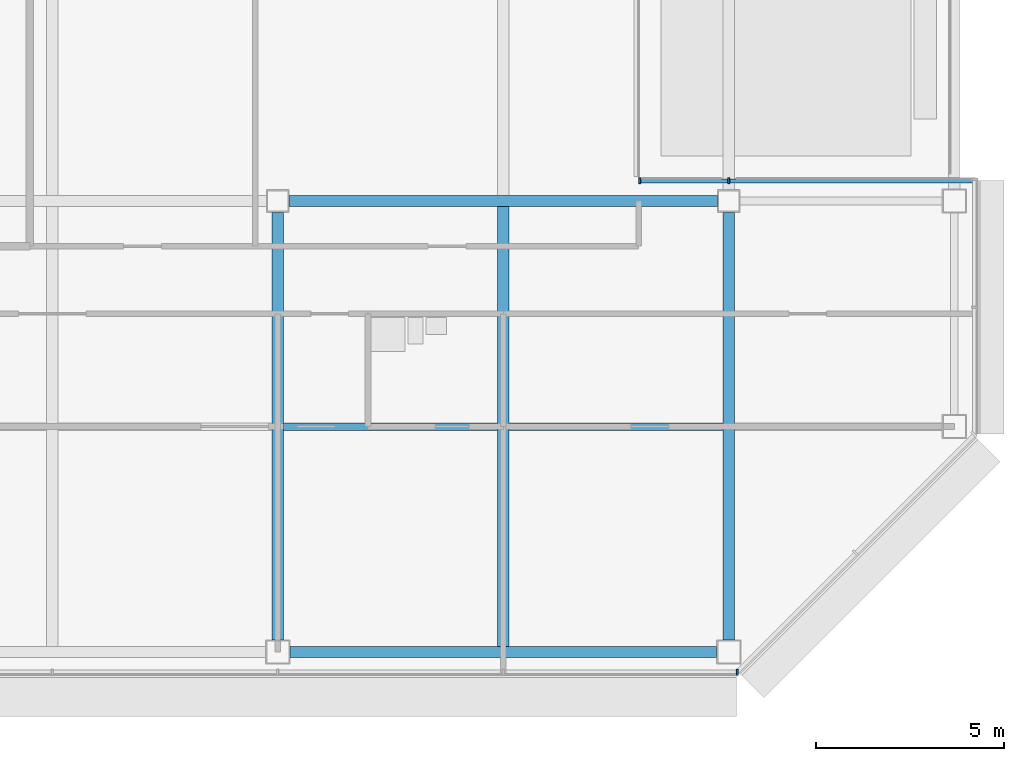
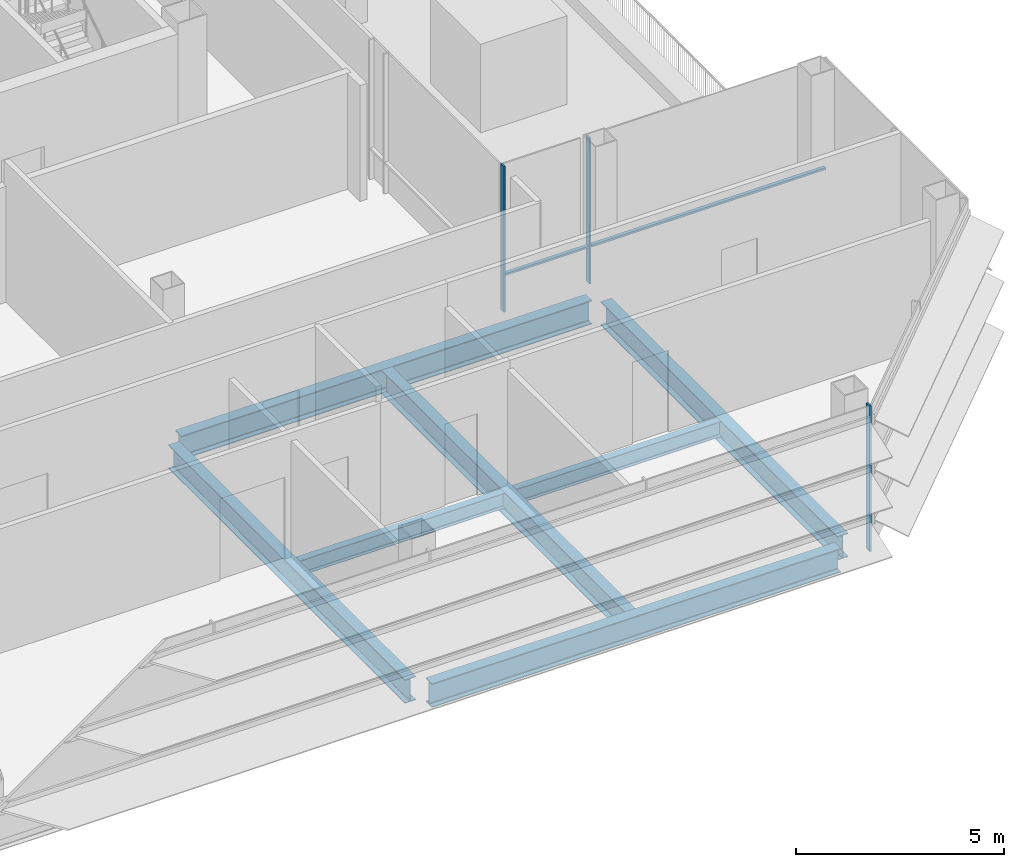
# One storey, part 9 of 30: 7 beams, 4 members, 2 elements without a shape of their own.
"""IFC4 building model written with IfcOpenShell, lengths in metres."""

from ifc_helpers import new_model, si_unit, direction, frame, origin, origin_2d, place, context, subcontext, project, spatial, rectangle, i_section, extrude, material, material_profile, profile_set, type_object, element, aggregate, save


model = new_model("IFC4")

# Units and contexts
model_context = context("Model", 3, precision=1e-05, world=origin(), true_north=direction((0.0, 1.0)))
body_context = subcontext(model_context, "Body", "Model", "MODEL_VIEW")
ifc_project = project(units=[si_unit("LENGTHUNIT", "METRE"), si_unit("AREAUNIT", "SQUARE_METRE"), si_unit("VOLUMEUNIT", "CUBIC_METRE"), si_unit("PLANEANGLEUNIT", "RADIAN"), si_unit("MASSUNIT", "GRAM", prefix="KILO")], contexts=[model_context])

# Site, building, storey
site_placement = place(None, origin())
site = spatial("IfcSite", under=ifc_project, at=site_placement, CompositionType="ELEMENT")
building_placement = place(site_placement, origin())
building = spatial("IfcBuilding", under=site, at=building_placement, Name="Sorahane Residences", CompositionType="ELEMENT")
storey_placement = place(building_placement, frame((0.0, 0.0, 229.800048828125)))
storey = spatial("IfcBuildingStorey", under=building, at=storey_placement, Name="L54", CompositionType="ELEMENT", Elevation=229.800048828125)

# Curtain wall, members
ifc_material_1 = material(Name="Dark low-e glass and black anodised aluminium", Category="aluminium")
curtain_wall_type = type_object("IfcCurtainWallType", Name="Curtain wall CW-1 Typical unitised wall", PredefinedType="NOTDEFINED", material=ifc_material_1)
curtain_wall_1_placement = place(storey_placement, origin())
curtain_wall_1 = element("IfcCurtainWall", 1, at=curtain_wall_1_placement, inside=storey, type_object=curtain_wall_type, Name="CW-1 curtain wall L54 N1", PredefinedType="NOTDEFINED")
ifc_material_2 = material(Name="Black anodised aluminium", Category="aluminium")
ifc_material_profile_1 = material_profile(ifc_material_2, rectangle(XDim=0.159912109375, YDim=0.050048828125, at=origin_2d()), Name="Curtain wall mullion CW-1 black anodised aluminium 50x160")
ifc_profile_set_1 = profile_set([ifc_material_profile_1], Name="Black anodised aluminium")
member_type_1 = type_object("IfcMemberType", Name="Curtain wall mullion CW-1 black anodised aluminium 50x160", PredefinedType="MULLION", material=ifc_profile_set_1)
member_1_placement = place(storey_placement, frame((48.0, 12.5400390625, -0.179931640625), z_axis=(0.0, 0.0, 1.0), x_axis=(0.0, 1.0, 0.0)))
member_1 = element("IfcMember", 2, at=member_1_placement, type_object=member_type_1, Name="CW-1 mullion L54 N1.2", PredefinedType="MULLION", context=body_context, shape_type="SweptSolid", body=[
    extrude(rectangle(XDim=0.159912109375, YDim=0.050048828125, at=origin_2d()), origin(), (0.0, 0.0, 1.0), 4.27978515625),
])
member_2_placement = place(storey_placement, frame((45.625, 12.5400390625, -0.179931640625), z_axis=(0.0, 0.0, 1.0), x_axis=(0.0, 1.0, 0.0)))
member_2 = element("IfcMember", 3, at=member_2_placement, type_object=member_type_1, Name="CW-1 mullion L54 N1.3", PredefinedType="MULLION", context=body_context, shape_type="SweptSolid", body=[
    extrude(rectangle(XDim=0.159912109375, YDim=0.050048828125, at=origin_2d()), origin(), (0.0, 0.0, 1.0), 4.27978515625),
])

# Curtain wall, member
curtain_wall_2_placement = place(storey_placement, origin())
curtain_wall_2 = element("IfcCurtainWall", 4, at=curtain_wall_2_placement, inside=storey, type_object=curtain_wall_type, Name="CW-1 curtain wall L54 S2", PredefinedType="NOTDEFINED")
member_3_placement = place(storey_placement, frame((48.2236328125, -0.5400390625, -0.179931640625), z_axis=(0.0, 0.0, 1.0), x_axis=(0.0, -1.0, 0.0)))
member_3 = element("IfcMember", 5, at=member_3_placement, type_object=member_type_1, Name="CW-1 mullion L54 S2.10", PredefinedType="MULLION", context=body_context, shape_type="SweptSolid", body=[
    extrude(rectangle(XDim=0.159912109375, YDim=0.050048828125, at=origin_2d()), origin(), (0.0, 0.0, 1.0), 4.27978515625),
])
aggregate(curtain_wall_2, [member_3])

# Member
ifc_material_3 = material(Name="Black anodised aluminium", Category="aluminium")
ifc_material_profile_2 = material_profile(ifc_material_3, rectangle(XDim=0.10009765625, YDim=0.06005859375, at=origin_2d()), Name="Curtain wall transom CW-1 black anodised aluminium 60x100")
ifc_profile_set_2 = profile_set([ifc_material_profile_2], Name="Black anodised aluminium")
member_type_2 = type_object("IfcMemberType", Name="Curtain wall transom CW-1 black anodised aluminium 60x100", PredefinedType="USERDEFINED", material=ifc_profile_set_2)
member_4_placement = place(storey_placement, frame((54.550048828125, 12.530029296875, 0.89990234375), z_axis=(-1.0, 0.0, 0.0), x_axis=(0.0, -1.0, 0.0)))
member_4 = element("IfcMember", 6, at=member_4_placement, type_object=member_type_2, Name="CW-1 transom L54 N1", ObjectType="TRANSOM", PredefinedType="USERDEFINED", context=body_context, shape_type="SweptSolid", body=[
    extrude(rectangle(XDim=0.10009765625, YDim=0.06005859375, at=origin_2d()), origin(), (0.0, 0.0, 1.0), 8.900146484375),
])

aggregate(curtain_wall_1, [member_1, member_2, member_4])

# Beams
ifc_material_4 = material(Name="Steel Q355B", Category="steel")
ifc_material_profile_3 = material_profile(ifc_material_4, i_section(OverallWidth=0.199951171875, OverallDepth=0.449951171875, WebThickness=0.009033203125, FlangeThickness=0.013916015625, FilletRadius=0.02001953125, at=origin_2d()), Name="HN 450x200x9x14")
ifc_profile_set_3 = profile_set([ifc_material_profile_3], Name="Steel Q355B")
beam_type_1 = type_object("IfcBeamType", Name="Steel floor beam HN 450x200x9x14 Q355B", PredefinedType="BEAM", material=ifc_profile_set_3)
for number, where, z_axis, x_axis, name in (
    (7, (36.14990234375, 6.0, -0.405029296875), (1.0, 0.0, 0.0), (0.0, 1.0, 0.0), "Beam L54 074"),
    (8, (42.14990234375, 6.0, -0.405029296875), (1.0, 0.0, 0.0), (0.0, 1.0, 0.0), "Beam L54 075"),
):
    element("IfcBeam", number, at=place(storey_placement, frame(where, z_axis=z_axis, x_axis=x_axis)), inside=storey, type_object=beam_type_1, Name=name, PredefinedType="BEAM", context=body_context, shape_type="SweptSolid", body=[
        extrude(i_section(OverallWidth=0.199951171875, OverallDepth=0.449951171875, WebThickness=0.009033203125, FlangeThickness=0.013916015625, FilletRadius=0.02001953125, at=origin_2d()), origin(), (0.0, 0.0, 1.0), 5.7001953125),
    ])
ifc_material_5 = material(Name="Steel Q355B", Category="steel")
ifc_material_profile_4 = material_profile(ifc_material_5, i_section(OverallWidth=0.300048828125, OverallDepth=0.699951171875, WebThickness=0.012939453125, FlangeThickness=0.02392578125, FilletRadius=0.028076171875, at=origin_2d()), Name="HN 700x300x13x24")
ifc_profile_set_4 = profile_set([ifc_material_profile_4], Name="Steel Q355B")
beam_type_2 = type_object("IfcBeamType", Name="Steel floor beam HN 700x300x13x24 Q355B", PredefinedType="BEAM", material=ifc_profile_set_4)
beam_1_placement = place(storey_placement, frame((36.324951171875, 0.0, -0.530029296875), z_axis=(1.0, 0.0, 0.0), x_axis=(0.0, 1.0, 0.0)))
element("IfcBeam", 9, at=beam_1_placement, inside=storey, type_object=beam_type_2, Name="Beam L54 004", PredefinedType="BEAM", context=body_context, shape_type="SweptSolid", body=[
    extrude(i_section(OverallWidth=0.300048828125, OverallDepth=0.699951171875, WebThickness=0.012939453125, FlangeThickness=0.02392578125, FilletRadius=0.028076171875, at=origin_2d()), origin(), (0.0, 0.0, 1.0), 11.35009765625),
])
beam_2_placement = place(storey_placement, frame((36.300048828125, 12.0, -0.530029296875), z_axis=(1.0, 0.0, 0.0), x_axis=(0.0, 1.0, 0.0)))
element("IfcBeam", 10, at=beam_2_placement, inside=storey, type_object=beam_type_2, Name="Beam L54 009", PredefinedType="BEAM", context=body_context, shape_type="SweptSolid", body=[
    extrude(i_section(OverallWidth=0.300048828125, OverallDepth=0.699951171875, WebThickness=0.012939453125, FlangeThickness=0.02392578125, FilletRadius=0.028076171875, at=origin_2d()), origin(), (0.0, 0.0, 1.0), 11.39990234375),
])
beam_3_placement = place(storey_placement, frame((36.0, 0.324951171875, -0.530029296875), z_axis=(0.0, 1.0, 0.0), x_axis=(-1.0, 0.0, 0.0)))
element("IfcBeam", 11, at=beam_3_placement, inside=storey, type_object=beam_type_2, Name="Beam L54 050", PredefinedType="BEAM", context=body_context, shape_type="SweptSolid", body=[
    extrude(i_section(OverallWidth=0.300048828125, OverallDepth=0.699951171875, WebThickness=0.012939453125, FlangeThickness=0.02392578125, FilletRadius=0.028076171875, at=origin_2d()), origin(), (0.0, 0.0, 1.0), 11.375),
])
beam_4_placement = place(storey_placement, frame((42.0, 0.14990234375, -0.530029296875), z_axis=(0.0, 1.0, 0.0), x_axis=(-1.0, 0.0, 0.0)))
element("IfcBeam", 12, at=beam_4_placement, inside=storey, type_object=beam_type_2, Name="Beam L54 052", PredefinedType="BEAM", context=body_context, shape_type="SweptSolid", body=[
    extrude(i_section(OverallWidth=0.300048828125, OverallDepth=0.699951171875, WebThickness=0.012939453125, FlangeThickness=0.02392578125, FilletRadius=0.028076171875, at=origin_2d()), origin(), (0.0, 0.0, 1.0), 11.7001953125),
])
beam_5_placement = place(storey_placement, frame((48.0, 0.324951171875, -0.530029296875), z_axis=(0.0, 1.0, 0.0), x_axis=(-1.0, 0.0, 0.0)))
element("IfcBeam", 13, at=beam_5_placement, inside=storey, type_object=beam_type_2, Name="Beam L54 058", PredefinedType="BEAM", context=body_context, shape_type="SweptSolid", body=[
    extrude(i_section(OverallWidth=0.300048828125, OverallDepth=0.699951171875, WebThickness=0.012939453125, FlangeThickness=0.02392578125, FilletRadius=0.028076171875, at=origin_2d()), origin(), (0.0, 0.0, 1.0), 11.375),
])

save(model, "model.ifc")
